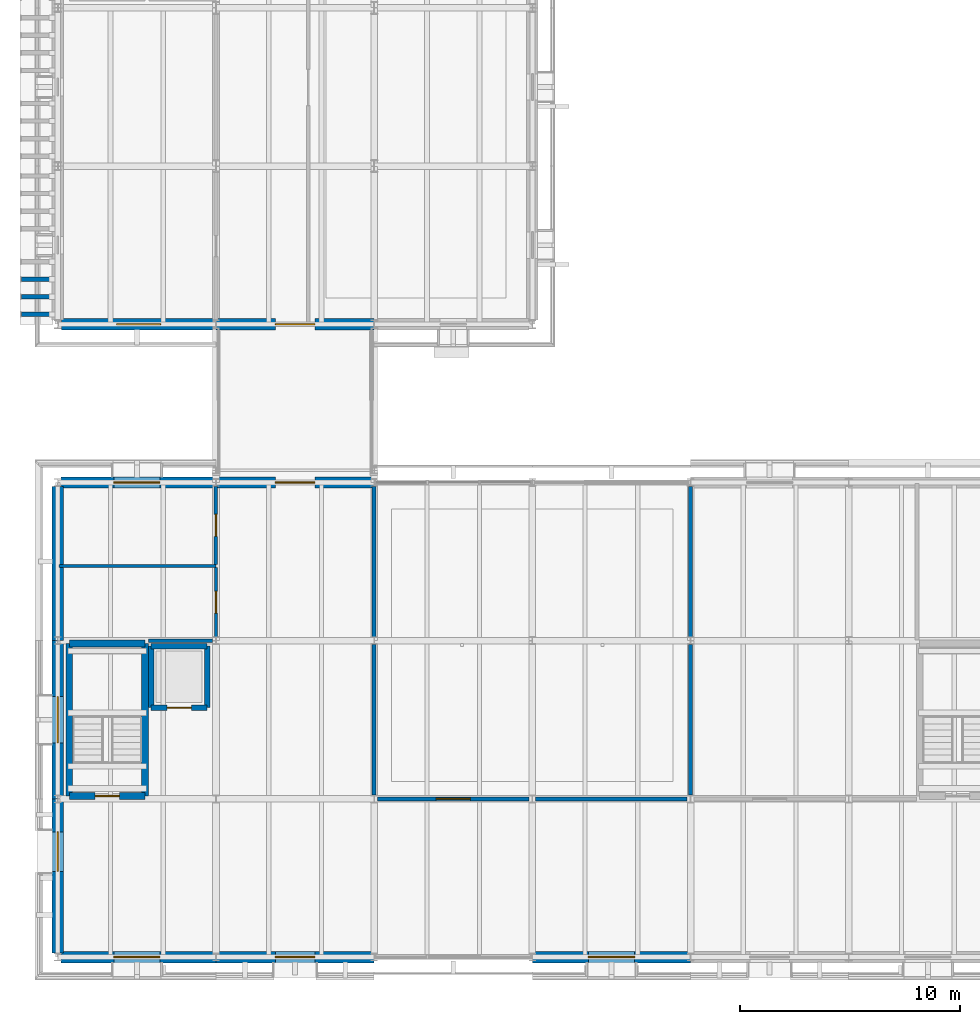
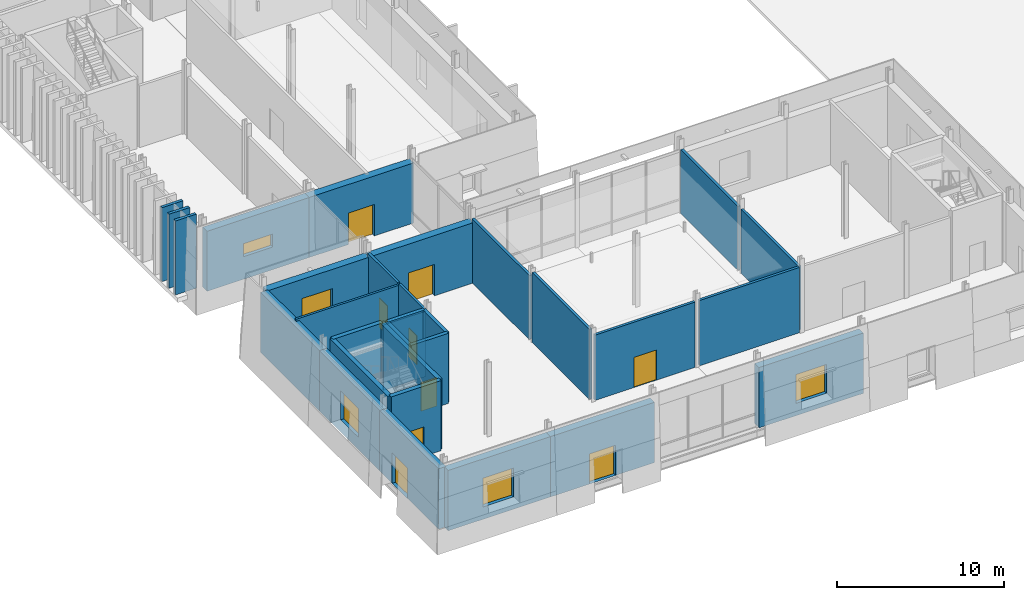
# One storey, part 67 of 120: 31 walls, 9 doors, 5 windows, 14 openings.
"""IFC4 building model written with IfcOpenShell, lengths in metres."""

from ifc_helpers import new_model, si_unit, direction, frame, frame_2d, origin, place, context, subcontext, project, spatial, rectangle, extrude, material, layer, layer_set, type_object, element, fill, save


model = new_model("IFC4")

# Units and contexts
model_context = context("Model", 3, precision=1e-05, world=origin(), true_north=direction((0.0, 1.0)))
body_context = subcontext(model_context, "Body", "Model", "MODEL_VIEW")
ifc_project = project(units=[si_unit("LENGTHUNIT", "METRE"), si_unit("AREAUNIT", "SQUARE_METRE"), si_unit("VOLUMEUNIT", "CUBIC_METRE"), si_unit("PLANEANGLEUNIT", "RADIAN"), si_unit("MASSUNIT", "GRAM", prefix="KILO")], contexts=[model_context])

# Site, building, storey
site_placement = place(None, origin())
site = spatial("IfcSite", under=ifc_project, at=site_placement, CompositionType="ELEMENT")
building_placement = place(site_placement, origin())
building = spatial("IfcBuilding", under=site, at=building_placement, Name="Narikvali Park Central Library", CompositionType="ELEMENT")
storey_placement = place(building_placement, origin())
storey = spatial("IfcBuildingStorey", under=building, at=storey_placement, Name="L00", CompositionType="ELEMENT", Elevation=0.0)

# Walls
ifc_material_1 = material(Name="Kiln-Fired Terracotta Red Brick Masonry", Category="masonry")
ifc_layer_1 = layer(ifc_material_1, 0.199951171875, Name="Kiln-Fired Terracotta Red Brick Masonry")
ifc_layer_set_1 = layer_set([ifc_layer_1], Name="Kiln-Fired Terracotta Red Brick Masonry")
wall_type_1 = type_object("IfcWallType", Name="Kiln-Fired Red Brick Vertical Fin Wall 200", PredefinedType="SOLIDWALL", material=ifc_layer_set_1)
for number, where, z_axis, x_axis, name in (
    (1, (-1.659912109375, 29.25, 0.0), (0.0, 0.0, 1.0), (1.0, 0.0, 0.0), "West Stacks Red Brick Vertical Fin Pier 001"),
    (2, (-1.659912109375, 30.050048828125, 0.0), (0.0, 0.0, 1.0), (1.0, 0.0, 0.0), "West Stacks Red Brick Vertical Fin Pier 005"),
    (3, (-1.659912109375, 30.85009765625, 0.0), (0.0, 0.0, 1.0), (1.0, 0.0, 0.0), "West Stacks Red Brick Vertical Fin Pier 009"),
):
    element("IfcWall", number, at=place(storey_placement, frame(where, z_axis=z_axis, x_axis=x_axis)), inside=storey, type_object=wall_type_1, Name=name, PredefinedType="SOLIDWALL", context=body_context, shape_type="SweptSolid", body=[
        extrude(rectangle(XDim=1.43994140625, YDim=0.199951171875, at=frame_2d((0.719970703125, 0.0))), origin(), (0.0, 0.0, 1.0), 5.39990234375),
    ])
ifc_material_2 = material(Name="Moisture-Resistant Cement Board on Steel Studs", Category="steel")
ifc_layer_2 = layer(ifc_material_2, 0.14990234375, Name="Moisture-Resistant Cement Board on Steel Studs")
ifc_layer_set_2 = layer_set([ifc_layer_2], Name="Moisture-Resistant Cement Board on Steel Studs")
wall_type_2 = type_object("IfcWallType", Name="Moisture-Resistant WC Partition 150", PredefinedType="PARTITIONING", material=ifc_layer_set_2)
wall_1_placement = place(storey_placement, frame((4.1220703125, 14.39990234375, 0.0), z_axis=(0.0, 0.0, 1.0), x_axis=(1.0, 0.0, 0.0)))
element("IfcWall", 4, at=wall_1_placement, inside=storey, type_object=wall_type_2, Name="Family and Accessible WC L00 Partition S", PredefinedType="PARTITIONING", context=body_context, shape_type="SweptSolid", body=[
    extrude(rectangle(XDim=2.923828125, YDim=0.14990234375, at=frame_2d((1.4619140625, 0.0))), origin(), (0.0, 0.0, 1.0), 4.77490234375),
])
wall_2_placement = place(storey_placement, frame((0.054931640625, 17.800048828125, 0.0), z_axis=(0.0, 0.0, 1.0), x_axis=(1.0, 0.0, 0.0)))
element("IfcWall", 5, at=wall_2_placement, inside=storey, type_object=wall_type_2, Name="Family and Accessible WC L00 Partition N", PredefinedType="PARTITIONING", context=body_context, shape_type="SweptSolid", body=[
    extrude(rectangle(XDim=7.14501953125, YDim=0.14990234375, at=frame_2d((3.572509765625, 0.0))), origin(), (0.0, 0.0, 1.0), 4.554931640625),
])

# Wall, opening, door
wall_3_placement = place(storey_placement, frame((7.199951171875, 14.573974609375, 0.0), z_axis=(0.0, 0.0, 1.0), x_axis=(0.0, 1.0, 0.0)))
wall_3 = element("IfcWall", 6, at=wall_3_placement, inside=storey, type_object=wall_type_2, Name="Family and Accessible WC L00 Partition E", PredefinedType="PARTITIONING", context=body_context, shape_type="SweptSolid", body=[
    extrude(rectangle(XDim=3.14892578125, YDim=0.14990234375, at=frame_2d((1.574462890625, 0.0))), origin(), (0.0, 0.0, 1.0), 4.6650390625),
])
opening_1_placement = place(wall_3_placement, frame((1.08447265625, 0.0, 0.0)))
opening_1 = element("IfcOpeningElement", 7, at=opening_1_placement, cuts=wall_3, Name="Opening ID-0005", PredefinedType="OPENING", context=body_context, shape_type="SweptSolid", body=[
    extrude(rectangle(XDim=0.97998046875, YDim=2.10009765625, at=frame_2d((0.489990234375, 1.050048828125))), frame((0.0, 0.0869140625, 0.0), z_axis=(0.0, -1.0, 0.0), x_axis=(1.0, 0.0, 0.0)), (0.0, 0.0, 1.0), 0.173828125),
])
ifc_material_3 = material(Name="Laminate Faced Hardwood Core", Category="wood")
door_type_1 = type_object("IfcDoorType", Name="Accessible WC Outward-Opening Door 980x2100", OperationType="SINGLE_SWING_RIGHT", PredefinedType="DOOR", material=ifc_material_3)
door_1_placement = place(opening_1_placement, frame((0.97998046875, 0.0, 0.0), z_axis=(0.0, 0.0, 1.0), x_axis=(-1.0, 0.0, 0.0)))
door_1 = element("IfcDoor", 8, at=door_1_placement, inside=storey, type_object=door_type_1, Name="Family and Accessible WC L00 Door ID-0005", OperationType="SINGLE_SWING_LEFT", OverallHeight=2.10009765625, OverallWidth=0.97998046875, PredefinedType="DOOR", context=body_context, shape_type="SweptSolid", body=[
    extrude(rectangle(XDim=0.97998046875, YDim=2.10009765625, at=frame_2d((0.489990234375, 1.050048828125))), frame((0.0, 0.02490234375, 0.0), z_axis=(0.0, -1.0, 0.0), x_axis=(1.0, 0.0, 0.0)), (0.0, 0.0, 1.0), 0.050048828125),
])
fill(opening_1, door_1)

ifc_material_4 = material(Name="Acoustic Gypsum on Steel Studs", Category="steel")
ifc_layer_3 = layer(ifc_material_4, 0.179931640625, Name="Acoustic Gypsum on Steel Studs")
ifc_layer_set_3 = layer_set([ifc_layer_3], Name="Acoustic Gypsum on Steel Studs")
wall_type_3 = type_object("IfcWallType", Name="Reading Room Acoustic Partition 180", PredefinedType="PARTITIONING", material=ifc_layer_set_3)
wall_4_placement = place(storey_placement, frame((14.553955078125, 7.199951171875, 0.0), z_axis=(0.0, 0.0, 1.0), x_axis=(1.0, 0.0, 0.0)))
wall_4 = element("IfcWall", 9, at=wall_4_placement, inside=storey, type_object=wall_type_3, Name="Children Library Picture Book Hall Partition S", PredefinedType="PARTITIONING", context=body_context, shape_type="SweptSolid", body=[
    extrude(rectangle(XDim=6.89208984375, YDim=0.179931640625, at=frame_2d((3.446044921875, 0.0))), origin(), (0.0, 0.0, 1.0), 4.764892578125),
])
opening_2_placement = place(wall_4_placement, frame((2.6708984375, 0.0, 0.0)))
opening_2 = element("IfcOpeningElement", 10, at=opening_2_placement, cuts=wall_4, Name="Opening ID-0051", PredefinedType="OPENING", context=body_context, shape_type="SweptSolid", body=[
    extrude(rectangle(XDim=1.550048828125, YDim=2.199951171875, at=frame_2d((0.77490234375, 1.10009765625))), frame((0.0, 0.10205078125, 0.0), z_axis=(0.0, -1.0, 0.0), x_axis=(1.0, 0.0, 0.0)), (0.0, 0.0, 1.0), 0.203857421875),
])
ifc_material_5 = material(Name="Caucasian Oak with Vision Panel")
door_type_2 = type_object("IfcDoorType", Name="Children Library Colourful Oak Door 1550x2200", OperationType="DOUBLE_DOOR_SINGLE_SWING", PredefinedType="DOOR", material=ifc_material_5)
door_2_placement = place(opening_2_placement, origin())
door_2 = element("IfcDoor", 11, at=door_2_placement, inside=storey, type_object=door_type_2, Name="Children Library Picture Book Hall Door ID-0051", OperationType="DOUBLE_DOOR_SINGLE_SWING", OverallHeight=2.199951171875, OverallWidth=1.550048828125, PredefinedType="DOOR", context=body_context, shape_type="SweptSolid", body=[
    extrude(rectangle(XDim=1.550048828125, YDim=2.199951171875, at=frame_2d((0.77490234375, 1.10009765625))), frame((0.0, 0.02490234375, 0.0), z_axis=(0.0, -1.0, 0.0), x_axis=(1.0, 0.0, 0.0)), (0.0, 0.0, 1.0), 0.050048828125),
])
fill(opening_2, door_2)

# Walls
wall_5_placement = place(storey_placement, frame((21.75390625, 7.199951171875, 0.0), z_axis=(0.0, 0.0, 1.0), x_axis=(1.0, 0.0, 0.0)))
element("IfcWall", 12, at=wall_5_placement, inside=storey, type_object=wall_type_3, Name="Children Library Picture Book Hall Partition S", PredefinedType="PARTITIONING", context=body_context, shape_type="SweptSolid", body=[
    extrude(rectangle(XDim=6.89208984375, YDim=0.179931640625, at=frame_2d((3.446044921875, 0.0))), origin(), (0.0, 0.0, 1.0), 4.764892578125),
])
wall_6_placement = place(storey_placement, frame((14.39990234375, 7.3740234375, 0.0), z_axis=(0.0, 0.0, 1.0), x_axis=(0.0, 1.0, 0.0)))
element("IfcWall", 13, at=wall_6_placement, inside=storey, type_object=wall_type_3, Name="Children Library Picture Book Hall Partition W", PredefinedType="PARTITIONING", context=body_context, shape_type="SweptSolid", body=[
    extrude(rectangle(XDim=6.85205078125, YDim=0.179931640625, at=frame_2d((3.426025390625, 0.0))), origin(), (0.0, 0.0, 1.0), 5.10498046875),
])
for number, where, z_axis, x_axis, name in (
    (14, (14.39990234375, 14.573974609375, 0.0), (0.0, 0.0, 1.0), (0.0, 1.0, 0.0), "Children Library Picture Book Hall Partition W"),
    (15, (28.800048828125, 7.3740234375, 0.0), (0.0, 0.0, 1.0), (0.0, 1.0, 0.0), "Children Library Picture Book Hall Partition E"),
    (16, (28.800048828125, 14.573974609375, 0.0), (0.0, 0.0, 1.0), (0.0, 1.0, 0.0), "Children Library Picture Book Hall Partition E"),
):
    element("IfcWall", number, at=place(storey_placement, frame(where, z_axis=z_axis, x_axis=x_axis)), inside=storey, type_object=wall_type_3, Name=name, PredefinedType="PARTITIONING", context=body_context, shape_type="SweptSolid", body=[
        extrude(rectangle(XDim=6.85205078125, YDim=0.179931640625, at=frame_2d((3.426025390625, 0.0))), origin(), (0.0, 0.0, 1.0), 4.6650390625),
    ])

# Wall, opening, door
ifc_material_6 = material(Name="Concrete C40/50", Category="concrete")
ifc_layer_4 = layer(ifc_material_6, 0.25, Name="Concrete C40/50")
ifc_layer_set_4 = layer_set([ifc_layer_4], Name="Concrete C40/50")
wall_type_4 = type_object("IfcWallType", Name="Reinforced Concrete Lift Shaft Wall 250", PredefinedType="SHEAR", material=ifc_layer_set_4)
wall_7_placement = place(storey_placement, frame((4.25, 11.35009765625, 0.0), z_axis=(0.0, 0.0, 1.0), x_axis=(1.0, 0.0, 0.0)))
wall_7 = element("IfcWall", 17, at=wall_7_placement, inside=storey, type_object=wall_type_4, Name="L-03 L00 Lift Shaft Wall S", PredefinedType="SHEAR", context=body_context, shape_type="SweptSolid", body=[
    extrude(rectangle(XDim=2.550048828125, YDim=0.25, at=frame_2d((1.27490234375, 0.0))), origin(), (0.0, 0.0, 1.0), 5.1201171875),
])
opening_3_placement = place(wall_7_placement, frame((0.72509765625, 0.0, 0.0)))
opening_3 = element("IfcOpeningElement", 18, at=opening_3_placement, cuts=wall_7, Name="Opening LD-011", PredefinedType="OPENING", context=body_context, shape_type="SweptSolid", body=[
    extrude(rectangle(XDim=1.10009765625, YDim=2.10009765625, at=frame_2d((0.550048828125, 1.050048828125))), frame((0.0, 0.136962890625, 0.0), z_axis=(0.0, -1.0, 0.0), x_axis=(1.0, 0.0, 0.0)), (0.0, 0.0, 1.0), 0.27392578125),
])
ifc_material_7 = material(Name="Brushed Stainless Steel S355", Category="steel")
door_type_3 = type_object("IfcDoorType", Name="Passenger Lift Sliding Landing Door 1100x2100", OperationType="SLIDING_TO_LEFT", PredefinedType="DOOR", material=ifc_material_7)
door_3_placement = place(opening_3_placement, origin())
door_3 = element("IfcDoor", 19, at=door_3_placement, inside=storey, type_object=door_type_3, Name="L-03 L00 Lift Landing Sliding Door LD-011", OperationType="SLIDING_TO_LEFT", OverallHeight=2.10009765625, OverallWidth=1.10009765625, PredefinedType="DOOR", context=body_context, shape_type="SweptSolid", body=[
    extrude(rectangle(XDim=1.10009765625, YDim=2.10009765625, at=frame_2d((0.550048828125, 1.050048828125))), frame((0.0, 0.02490234375, 0.0), z_axis=(0.0, -1.0, 0.0), x_axis=(1.0, 0.0, 0.0)), (0.0, 0.0, 1.0), 0.050048828125),
])
fill(opening_3, door_3)

# Walls
wall_8_placement = place(storey_placement, frame((6.800048828125, 11.35009765625, 0.0), z_axis=(0.0, 0.0, 1.0), x_axis=(0.0, 1.0, 0.0)))
element("IfcWall", 20, at=wall_8_placement, inside=storey, type_object=wall_type_4, Name="L-03 L00 Lift Shaft Wall E", PredefinedType="SHEAR", context=body_context, shape_type="SweptSolid", body=[
    extrude(rectangle(XDim=2.7998046875, YDim=0.25, at=frame_2d((1.39990234375, 0.0))), origin(), (0.0, 0.0, 1.0), 5.1201171875),
])
wall_9_placement = place(storey_placement, frame((6.800048828125, 14.14990234375, 0.0), z_axis=(0.0, 0.0, 1.0), x_axis=(-1.0, 0.0, 0.0)))
element("IfcWall", 21, at=wall_9_placement, inside=storey, type_object=wall_type_4, Name="L-03 L00 Lift Shaft Wall N", PredefinedType="SHEAR", context=body_context, shape_type="SweptSolid", body=[
    extrude(rectangle(XDim=2.550048828125, YDim=0.25, at=frame_2d((1.27490234375, 0.0))), origin(), (0.0, 0.0, 1.0), 5.1201171875),
])
wall_10_placement = place(storey_placement, frame((4.25, 14.14990234375, 0.0), z_axis=(0.0, 0.0, 1.0), x_axis=(0.0, -1.0, 0.0)))
element("IfcWall", 22, at=wall_10_placement, inside=storey, type_object=wall_type_4, Name="L-03 L00 Lift Shaft Wall W", PredefinedType="SHEAR", context=body_context, shape_type="SweptSolid", body=[
    extrude(rectangle(XDim=2.7998046875, YDim=0.25, at=frame_2d((1.39990234375, 0.0))), origin(), (0.0, 0.0, 1.0), 5.1201171875),
])

# Wall, opening, door
ifc_layer_5 = layer(ifc_material_6, 0.300048828125, Name="Concrete C40/50")
ifc_layer_set_5 = layer_set([ifc_layer_5], Name="Concrete C40/50")
wall_type_5 = type_object("IfcWallType", Name="Reinforced Concrete Shear Wall 300", PredefinedType="SHEAR", material=ifc_layer_set_5)
wall_11_placement = place(storey_placement, frame((0.530029296875, 7.330078125, 0.0), z_axis=(0.0, 0.0, 1.0), x_axis=(1.0, 0.0, 0.0)))
wall_11 = element("IfcWall", 23, at=wall_11_placement, inside=storey, type_object=wall_type_5, Name="C2A L00 Stair Core Shear Wall S", PredefinedType="SHEAR", context=body_context, shape_type="SweptSolid", body=[
    extrude(rectangle(XDim=3.43994140625, YDim=0.300048828125, at=frame_2d((1.719970703125, 0.0))), origin(), (0.0, 0.0, 1.0), 5.1201171875),
])
opening_4_placement = place(wall_11_placement, frame((1.169921875, 0.0, 0.0)))
opening_4 = element("IfcOpeningElement", 24, at=opening_4_placement, cuts=wall_11, Name="Opening SD-011", PredefinedType="OPENING", context=body_context, shape_type="SweptSolid", body=[
    extrude(rectangle(XDim=1.10009765625, YDim=2.14990234375, at=frame_2d((0.550048828125, 1.074951171875))), frame((0.0, 0.162109375, 0.0), z_axis=(0.0, -1.0, 0.0), x_axis=(1.0, 0.0, 0.0)), (0.0, 0.0, 1.0), 0.323974609375),
])
ifc_material_8 = material(Name="Powder-Coated Steel S275 Fire Leaf", Category="steel")
door_type_4 = type_object("IfcDoorType", Name="Stair Core Smoke-Control Fire Door 1100x2150", OperationType="SINGLE_SWING_LEFT", PredefinedType="DOOR", material=ifc_material_8)
door_4_placement = place(opening_4_placement, frame((1.10009765625, 0.0, 0.0), z_axis=(0.0, 0.0, 1.0), x_axis=(-1.0, 0.0, 0.0)))
door_4 = element("IfcDoor", 25, at=door_4_placement, inside=storey, type_object=door_type_4, Name="ST-03 L00 Stair Exit Door SD-011", OperationType="SINGLE_SWING_LEFT", OverallHeight=2.14990234375, OverallWidth=1.10009765625, PredefinedType="DOOR", context=body_context, shape_type="SweptSolid", body=[
    extrude(rectangle(XDim=1.10009765625, YDim=2.14990234375, at=frame_2d((0.550048828125, 1.074951171875))), frame((0.0, 0.02490234375, 0.0), z_axis=(0.0, -1.0, 0.0), x_axis=(1.0, 0.0, 0.0)), (0.0, 0.0, 1.0), 0.050048828125),
])
fill(opening_4, door_4)

# Walls
wall_12_placement = place(storey_placement, frame((3.969970703125, 7.330078125, 0.0), z_axis=(0.0, 0.0, 1.0), x_axis=(0.0, 1.0, 0.0)))
element("IfcWall", 26, at=wall_12_placement, inside=storey, type_object=wall_type_5, Name="C2A L00 Stair Core Shear Wall E", PredefinedType="SHEAR", context=body_context, shape_type="SweptSolid", body=[
    extrude(rectangle(XDim=6.93994140625, YDim=0.300048828125, at=frame_2d((3.469970703125, 0.0))), origin(), (0.0, 0.0, 1.0), 5.1201171875),
])
wall_13_placement = place(storey_placement, frame((3.969970703125, 14.27001953125, 0.0), z_axis=(0.0, 0.0, 1.0), x_axis=(-1.0, 0.0, 0.0)))
element("IfcWall", 27, at=wall_13_placement, inside=storey, type_object=wall_type_5, Name="C2A L00 Stair Core Shear Wall N", PredefinedType="SHEAR", context=body_context, shape_type="SweptSolid", body=[
    extrude(rectangle(XDim=3.43994140625, YDim=0.300048828125, at=frame_2d((1.719970703125, 0.0))), origin(), (0.0, 0.0, 1.0), 5.1201171875),
])
wall_14_placement = place(storey_placement, frame((0.530029296875, 14.27001953125, 0.0), z_axis=(0.0, 0.0, 1.0), x_axis=(0.0, -1.0, 0.0)))
element("IfcWall", 28, at=wall_14_placement, inside=storey, type_object=wall_type_5, Name="C2A L00 Stair Core Shear Wall W", PredefinedType="SHEAR", context=body_context, shape_type="SweptSolid", body=[
    extrude(rectangle(XDim=6.93994140625, YDim=0.300048828125, at=frame_2d((3.469970703125, 0.0))), origin(), (0.0, 0.0, 1.0), 5.1201171875),
])

# Wall, opening, door
ifc_material_9 = material(Name="Gypsum Board on Galvanised Steel Studs", Category="steel")
ifc_layer_6 = layer(ifc_material_9, 0.159912109375, Name="Gypsum Board on Galvanised Steel Studs")
ifc_layer_set_6 = layer_set([ifc_layer_6], Name="Gypsum Board on Galvanised Steel Studs")
wall_type_6 = type_object("IfcWallType", Name="Study Room Partition Wall 160", PredefinedType="PARTITIONING", material=ifc_layer_set_6)
wall_15_placement = place(storey_placement, frame((7.199951171875, 17.876953125, 0.0), z_axis=(0.0, 0.0, 1.0), x_axis=(0.0, 1.0, 0.0)))
wall_15 = element("IfcWall", 29, at=wall_15_placement, inside=storey, type_object=wall_type_6, Name="Family Parenting and Quiet Room Partition E", PredefinedType="PARTITIONING", context=body_context, shape_type="SweptSolid", body=[
    extrude(rectangle(XDim=3.549072265625, YDim=0.159912109375, at=frame_2d((1.7744140625, 0.0))), origin(), (0.0, 0.0, 1.0), 4.6650390625),
])
opening_5_placement = place(wall_15_placement, frame((1.2744140625, 0.0, 0.0)))
opening_5 = element("IfcOpeningElement", 30, at=opening_5_placement, cuts=wall_15, Name="Opening ID-0052", PredefinedType="OPENING", context=body_context, shape_type="SweptSolid", body=[
    extrude(rectangle(XDim=1.0, YDim=2.14990234375, at=frame_2d((0.5, 1.074951171875))), frame((0.0, 0.091796875, 0.0), z_axis=(0.0, -1.0, 0.0), x_axis=(1.0, 0.0, 0.0)), (0.0, 0.0, 1.0), 0.183837890625),
])
ifc_material_10 = material(Name="Solid Caucasian Oak")
door_type_5 = type_object("IfcDoorType", Name="Study Room Single Oak Door 1000x2150", OperationType="SINGLE_SWING_LEFT", PredefinedType="DOOR", material=ifc_material_10)
door_5_placement = place(opening_5_placement, origin())
door_5 = element("IfcDoor", 31, at=door_5_placement, inside=storey, type_object=door_type_5, Name="Family Parenting and Quiet Room Door ID-0052", OperationType="SINGLE_SWING_RIGHT", OverallHeight=2.14990234375, OverallWidth=1.0, PredefinedType="DOOR", context=body_context, shape_type="SweptSolid", body=[
    extrude(rectangle(XDim=1.0, YDim=2.14990234375, at=frame_2d((0.5, 1.074951171875))), frame((0.0, 0.02490234375, 0.0), z_axis=(0.0, -1.0, 0.0), x_axis=(1.0, 0.0, 0.0)), (0.0, 0.0, 1.0), 0.050048828125),
])
fill(opening_5, door_5)

# Wall, opening, window
ifc_material_11 = material(Name="White Rusticated Limestone over Concrete C35/45", Category="masonry")
ifc_layer_7 = layer(ifc_material_11, 0.52001953125, Name="White Rusticated Limestone over Concrete C35/45")
ifc_layer_set_7 = layer_set([ifc_layer_7], Name="White Rusticated Limestone over Concrete C35/45")
wall_type_7 = type_object("IfcWallType", Name="White Limestone Ashlar Plinth Wall 520", PredefinedType="SOLIDWALL", material=ifc_layer_set_7)
wall_16_placement = place(storey_placement, frame((0.154052734375, 0.0, 0.0), z_axis=(0.0, 0.0, 1.0), x_axis=(1.0, 0.0, 0.0)))
wall_16 = element("IfcWall", 32, at=wall_16_placement, inside=storey, type_object=wall_type_7, Name="V2 L00 S Exterior Limestone Wall B01", PredefinedType="SOLIDWALL", context=body_context, shape_type="SweptSolid", body=[
    extrude(rectangle(XDim=7.0458984375, YDim=0.52001953125, at=frame_2d((3.52294921875, 0.0))), origin(), (0.0, 0.0, 1.0), 4.39990234375),
])
opening_6_placement = place(wall_16_placement, frame((2.39599609375, 0.0, 0.89990234375)))
opening_6 = element("IfcOpeningElement", 33, at=opening_6_placement, cuts=wall_16, Name="Opening WIN-0044", PredefinedType="OPENING", context=body_context, shape_type="SweptSolid", body=[
    extrude(rectangle(XDim=2.10009765625, YDim=2.10009765625, at=frame_2d((1.050048828125, 1.050048828125))), frame((0.0, 0.27197265625, 0.0), z_axis=(0.0, -1.0, 0.0), x_axis=(1.0, 0.0, 0.0)), (0.0, 0.0, 1.0), 0.5439453125),
])
ifc_material_12 = material(Name="Anodised Bronze Aluminium and Low-E Triple Glazing", Category="aluminium")
window_type_1 = type_object("IfcWindowType", Name="Children Pavilion Garden Window 2100x2100", PartitioningType="TRIPLE_PANEL_VERTICAL", PredefinedType="WINDOW", material=ifc_material_12)
window_1_placement = place(opening_6_placement, origin())
window_1 = element("IfcWindow", 34, at=window_1_placement, inside=storey, type_object=window_type_1, Name="V2 L00 S Deep-Reveal Window WIN-0044", OverallHeight=2.10009765625, OverallWidth=2.10009765625, PartitioningType="SINGLE_PANEL", PredefinedType="WINDOW", context=body_context, shape_type="SweptSolid", body=[
    extrude(rectangle(XDim=2.10009765625, YDim=2.10009765625, at=frame_2d((1.050048828125, 1.050048828125))), frame((0.0, 0.030029296875, 0.0), z_axis=(0.0, -1.0, 0.0), x_axis=(1.0, 0.0, 0.0)), (0.0, 0.0, 1.0), 0.06005859375),
])
fill(opening_6, window_1)

# Wall, opening, door
wall_17_placement = place(storey_placement, frame((7.199951171875, 0.0, 0.0), z_axis=(0.0, 0.0, 1.0), x_axis=(1.0, 0.0, 0.0)))
wall_17 = element("IfcWall", 35, at=wall_17_placement, inside=storey, type_object=wall_type_7, Name="V2 L00 S Exterior Limestone Wall B02", PredefinedType="SOLIDWALL", context=body_context, shape_type="SweptSolid", body=[
    extrude(rectangle(XDim=7.199951171875, YDim=0.52001953125, at=frame_2d((3.60009765625, 0.0))), origin(), (0.0, 0.0, 1.0), 4.39990234375),
])
opening_7_placement = place(wall_17_placement, frame((2.699951171875, 0.0, 0.0)))
opening_7 = element("IfcOpeningElement", 36, at=opening_7_placement, cuts=wall_17, Name="Opening ED-011", PredefinedType="OPENING", context=body_context, shape_type="SweptSolid", body=[
    extrude(rectangle(XDim=1.800048828125, YDim=2.199951171875, at=frame_2d((0.89990234375, 1.10009765625))), frame((0.0, 0.27197265625, 0.0), z_axis=(0.0, -1.0, 0.0), x_axis=(1.0, 0.0, 0.0)), (0.0, 0.0, 1.0), 0.5439453125),
])
ifc_material_13 = material(Name="Powder-Coated Galvanised Steel S275", Category="steel")
door_type_6 = type_object("IfcDoorType", Name="Exterior Final Exit Double Fire Door 1800x2200", OperationType="DOUBLE_DOOR_SINGLE_SWING", PredefinedType="DOOR", material=ifc_material_13)
door_6_placement = place(opening_7_placement, frame((1.800048828125, 0.0, 0.0), z_axis=(0.0, 0.0, 1.0), x_axis=(-1.0, 0.0, 0.0)))
door_6 = element("IfcDoor", 37, at=door_6_placement, inside=storey, type_object=door_type_6, Name="V2 Ground Final Exit Discharge Door ED-011", OperationType="DOUBLE_DOOR_SINGLE_SWING", OverallHeight=2.199951171875, OverallWidth=1.800048828125, PredefinedType="DOOR", context=body_context, shape_type="SweptSolid", body=[
    extrude(rectangle(XDim=1.800048828125, YDim=2.199951171875, at=frame_2d((0.89990234375, 1.10009765625))), frame((0.0, 0.02490234375, 0.0), z_axis=(0.0, -1.0, 0.0), x_axis=(1.0, 0.0, 0.0)), (0.0, 0.0, 1.0), 0.050048828125),
])
fill(opening_7, door_6)

# Wall, opening, window
wall_18_placement = place(storey_placement, frame((21.60009765625, 0.0, 0.0), z_axis=(0.0, 0.0, 1.0), x_axis=(1.0, 0.0, 0.0)))
wall_18 = element("IfcWall", 38, at=wall_18_placement, inside=storey, type_object=wall_type_7, Name="V2 L00 S Exterior Limestone Wall B04", PredefinedType="SOLIDWALL", context=body_context, shape_type="SweptSolid", body=[
    extrude(rectangle(XDim=7.199951171875, YDim=0.52001953125, at=frame_2d((3.60009765625, 0.0))), origin(), (0.0, 0.0, 1.0), 4.39990234375),
])
opening_8_placement = place(wall_18_placement, frame((2.550048828125, 0.0, 0.89990234375)))
opening_8 = element("IfcOpeningElement", 39, at=opening_8_placement, cuts=wall_18, Name="Opening WIN-0045", PredefinedType="OPENING", context=body_context, shape_type="SweptSolid", body=[
    extrude(rectangle(XDim=2.10009765625, YDim=2.10009765625, at=frame_2d((1.050048828125, 1.050048828125))), frame((0.0, 0.27197265625, 0.0), z_axis=(0.0, -1.0, 0.0), x_axis=(1.0, 0.0, 0.0)), (0.0, 0.0, 1.0), 0.5439453125),
])
window_2_placement = place(opening_8_placement, origin())
window_2 = element("IfcWindow", 40, at=window_2_placement, inside=storey, type_object=window_type_1, Name="V2 L00 S Deep-Reveal Window WIN-0045", OverallHeight=2.10009765625, OverallWidth=2.10009765625, PartitioningType="SINGLE_PANEL", PredefinedType="WINDOW", context=body_context, shape_type="SweptSolid", body=[
    extrude(rectangle(XDim=2.10009765625, YDim=2.10009765625, at=frame_2d((1.050048828125, 1.050048828125))), frame((0.0, 0.030029296875, 0.0), z_axis=(0.0, -1.0, 0.0), x_axis=(1.0, 0.0, 0.0)), (0.0, 0.0, 1.0), 0.06005859375),
])
fill(opening_8, window_2)

# Wall, opening, door
wall_19_placement = place(storey_placement, frame((14.39990234375, 21.60009765625, 0.0), z_axis=(0.0, 0.0, 1.0), x_axis=(-1.0, 0.0, 0.0)))
wall_19 = element("IfcWall", 41, at=wall_19_placement, inside=storey, type_object=wall_type_7, Name="V2 L00 N Exterior Limestone Wall B05", PredefinedType="SOLIDWALL", context=body_context, shape_type="SweptSolid", body=[
    extrude(rectangle(XDim=7.199951171875, YDim=0.52001953125, at=frame_2d((3.60009765625, 0.0))), origin(), (0.0, 0.0, 1.0), 4.39990234375),
])
opening_9_placement = place(wall_19_placement, frame((2.699951171875, 0.0, 0.0)))
opening_9 = element("IfcOpeningElement", 42, at=opening_9_placement, cuts=wall_19, Name="Opening BD-014", PredefinedType="OPENING", context=body_context, shape_type="SweptSolid", body=[
    extrude(rectangle(XDim=1.800048828125, YDim=2.300048828125, at=frame_2d((0.89990234375, 1.14990234375))), frame((0.0, 0.27197265625, 0.0), z_axis=(0.0, -1.0, 0.0), x_axis=(1.0, 0.0, 0.0)), (0.0, 0.0, 1.0), 0.5439453125),
])
ifc_material_14 = material(Name="Fire-Rated Glazing in Steel S275 Frame", Category="steel")
door_type_7 = type_object("IfcDoorType", Name="Glazed Double Corridor Bridge Fire Door 1800x2300", OperationType="DOUBLE_DOOR_SINGLE_SWING", PredefinedType="DOOR", material=ifc_material_14)
door_7_placement = place(opening_9_placement, frame((1.800048828125, 0.0, 0.0), z_axis=(0.0, 0.0, 1.0), x_axis=(-1.0, 0.0, 0.0)))
door_7 = element("IfcDoor", 43, at=door_7_placement, inside=storey, type_object=door_type_7, Name="V2 L00 Covered Bridge Fire Door BD-014", OperationType="DOUBLE_DOOR_SINGLE_SWING", OverallHeight=2.300048828125, OverallWidth=1.800048828125, PredefinedType="DOOR", context=body_context, shape_type="SweptSolid", body=[
    extrude(rectangle(XDim=1.800048828125, YDim=2.300048828125, at=frame_2d((0.89990234375, 1.14990234375))), frame((0.0, 0.02490234375, 0.0), z_axis=(0.0, -1.0, 0.0), x_axis=(1.0, 0.0, 0.0)), (0.0, 0.0, 1.0), 0.050048828125),
])
fill(opening_9, door_7)

# Wall, opening, window
wall_20_placement = place(storey_placement, frame((7.199951171875, 21.60009765625, 0.0), z_axis=(0.0, 0.0, 1.0), x_axis=(-1.0, 0.0, 0.0)))
wall_20 = element("IfcWall", 44, at=wall_20_placement, inside=storey, type_object=wall_type_7, Name="V2 L00 N Exterior Limestone Wall B06", PredefinedType="SOLIDWALL", context=body_context, shape_type="SweptSolid", body=[
    extrude(rectangle(XDim=7.0458984375, YDim=0.52001953125, at=frame_2d((3.52294921875, 0.0))), origin(), (0.0, 0.0, 1.0), 4.39990234375),
])
opening_10_placement = place(wall_20_placement, frame((2.550048828125, 0.0, 0.89990234375)))
opening_10 = element("IfcOpeningElement", 45, at=opening_10_placement, cuts=wall_20, Name="Opening WIN-0050", PredefinedType="OPENING", context=body_context, shape_type="SweptSolid", body=[
    extrude(rectangle(XDim=2.10009765625, YDim=2.10009765625, at=frame_2d((1.050048828125, 1.050048828125))), frame((0.0, 0.27197265625, 0.0), z_axis=(0.0, -1.0, 0.0), x_axis=(1.0, 0.0, 0.0)), (0.0, 0.0, 1.0), 0.5439453125),
])
window_3_placement = place(opening_10_placement, origin())
window_3 = element("IfcWindow", 46, at=window_3_placement, inside=storey, type_object=window_type_1, Name="V2 L00 N Deep-Reveal Window WIN-0050", OverallHeight=2.10009765625, OverallWidth=2.10009765625, PartitioningType="SINGLE_PANEL", PredefinedType="WINDOW", context=body_context, shape_type="SweptSolid", body=[
    extrude(rectangle(XDim=2.10009765625, YDim=2.10009765625, at=frame_2d((1.050048828125, 1.050048828125))), frame((0.0, 0.030029296875, 0.0), z_axis=(0.0, -1.0, 0.0), x_axis=(1.0, 0.0, 0.0)), (0.0, 0.0, 1.0), 0.06005859375),
])
fill(opening_10, window_3)

# Wall
wall_21_placement = place(storey_placement, frame((0.0, 21.426025390625, 0.0), z_axis=(0.0, 0.0, 1.0), x_axis=(0.0, -1.0, 0.0)))
element("IfcWall", 47, at=wall_21_placement, inside=storey, type_object=wall_type_7, Name="V2 L00 W Exterior Limestone Wall B01", PredefinedType="SOLIDWALL", context=body_context, shape_type="SweptSolid", body=[
    extrude(rectangle(XDim=7.026123046875, YDim=0.52001953125, at=frame_2d((3.51318359375, 0.0))), origin(), (0.0, 0.0, 1.0), 4.39990234375),
])

# Wall, opening, window
wall_22_placement = place(storey_placement, frame((0.0, 14.39990234375, 0.0), z_axis=(0.0, 0.0, 1.0), x_axis=(0.0, -1.0, 0.0)))
wall_22 = element("IfcWall", 48, at=wall_22_placement, inside=storey, type_object=wall_type_7, Name="V2 L00 W Exterior Limestone Wall B02", PredefinedType="SOLIDWALL", context=body_context, shape_type="SweptSolid", body=[
    extrude(rectangle(XDim=7.199951171875, YDim=0.52001953125, at=frame_2d((3.60009765625, 0.0))), origin(), (0.0, 0.0, 1.0), 4.39990234375),
])
opening_11_placement = place(wall_22_placement, frame((2.550048828125, 0.0, 0.89990234375)))
opening_11 = element("IfcOpeningElement", 49, at=opening_11_placement, cuts=wall_22, Name="Opening WIN-0051", PredefinedType="OPENING", context=body_context, shape_type="SweptSolid", body=[
    extrude(rectangle(XDim=2.10009765625, YDim=2.10009765625, at=frame_2d((1.050048828125, 1.050048828125))), frame((0.0, 0.27197265625, 0.0), z_axis=(0.0, -1.0, 0.0), x_axis=(1.0, 0.0, 0.0)), (0.0, 0.0, 1.0), 0.5439453125),
])
window_4_placement = place(opening_11_placement, origin())
window_4 = element("IfcWindow", 50, at=window_4_placement, inside=storey, type_object=window_type_1, Name="V2 L00 W Deep-Reveal Window WIN-0051", OverallHeight=2.10009765625, OverallWidth=2.10009765625, PartitioningType="SINGLE_PANEL", PredefinedType="WINDOW", context=body_context, shape_type="SweptSolid", body=[
    extrude(rectangle(XDim=2.10009765625, YDim=2.10009765625, at=frame_2d((1.050048828125, 1.050048828125))), frame((0.0, 0.030029296875, 0.0), z_axis=(0.0, -1.0, 0.0), x_axis=(1.0, 0.0, 0.0)), (0.0, 0.0, 1.0), 0.06005859375),
])
fill(opening_11, window_4)

# Wall, opening, door
wall_23_placement = place(storey_placement, frame((0.0, 7.199951171875, 0.0), z_axis=(0.0, 0.0, 1.0), x_axis=(0.0, -1.0, 0.0)))
wall_23 = element("IfcWall", 51, at=wall_23_placement, inside=storey, type_object=wall_type_7, Name="V2 L00 W Exterior Limestone Wall B03", PredefinedType="SOLIDWALL", context=body_context, shape_type="SweptSolid", body=[
    extrude(rectangle(XDim=7.02587890625, YDim=0.52001953125, at=frame_2d((3.512939453125, 0.0))), origin(), (0.0, 0.0, 1.0), 4.39990234375),
])
opening_12_placement = place(wall_23_placement, frame((1.5, 0.0, 0.0)))
opening_12 = element("IfcOpeningElement", 52, at=opening_12_placement, cuts=wall_23, Name="Opening ED-015", PredefinedType="OPENING", context=body_context, shape_type="SweptSolid", body=[
    extrude(rectangle(XDim=1.800048828125, YDim=2.199951171875, at=frame_2d((0.89990234375, 1.10009765625))), frame((0.0, 0.27197265625, 0.0), z_axis=(0.0, -1.0, 0.0), x_axis=(1.0, 0.0, 0.0)), (0.0, 0.0, 1.0), 0.5439453125),
])
door_8_placement = place(opening_12_placement, frame((1.800048828125, 0.0, 0.0), z_axis=(0.0, 0.0, 1.0), x_axis=(-1.0, 0.0, 0.0)))
door_8 = element("IfcDoor", 53, at=door_8_placement, inside=storey, type_object=door_type_6, Name="V2 Ground Final Exit Discharge Door ED-015", OperationType="DOUBLE_DOOR_SINGLE_SWING", OverallHeight=2.199951171875, OverallWidth=1.800048828125, PredefinedType="DOOR", context=body_context, shape_type="SweptSolid", body=[
    extrude(rectangle(XDim=1.800048828125, YDim=2.199951171875, at=frame_2d((0.89990234375, 1.10009765625))), frame((0.0, 0.02490234375, 0.0), z_axis=(0.0, -1.0, 0.0), x_axis=(1.0, 0.0, 0.0)), (0.0, 0.0, 1.0), 0.050048828125),
])
fill(opening_12, door_8)

# Wall, opening, window
wall_24_placement = place(storey_placement, frame((0.157958984375, 28.800048828125, 0.0), z_axis=(0.0, 0.0, 1.0), x_axis=(1.0, 0.0, 0.0)))
wall_24 = element("IfcWall", 54, at=wall_24_placement, inside=storey, type_object=wall_type_7, Name="V5 L00 S Exterior Limestone Wall B01", PredefinedType="SOLIDWALL", context=body_context, shape_type="SweptSolid", body=[
    extrude(rectangle(XDim=7.0419921875, YDim=0.52001953125, at=frame_2d((3.52099609375, 0.0))), origin(), (0.0, 0.0, 1.0), 4.3798828125),
])
opening_13_placement = place(wall_24_placement, frame((2.52099609375, 0.0, 1.64990234375)))
opening_13 = element("IfcOpeningElement", 55, at=opening_13_placement, cuts=wall_24, Name="Opening SKY-05", PredefinedType="OPENING", context=body_context, shape_type="SweptSolid", body=[
    extrude(rectangle(XDim=2.0, YDim=0.949951171875, at=frame_2d((1.0, 0.47509765625))), frame((0.0, 0.27197265625, 0.0), z_axis=(0.0, -1.0, 0.0), x_axis=(1.0, 0.0, 0.0)), (0.0, 0.0, 1.0), 0.5439453125),
])
ifc_material_15 = material(Name="Laminated Solar-Control Skylight Glazing", Category="glass")
window_type_2 = type_object("IfcWindowType", Name="Pavilion Lantern Skylight 2000x2000", PartitioningType="SINGLE_PANEL", PredefinedType="SKYLIGHT", material=ifc_material_15)
window_5_placement = place(opening_13_placement, origin())
window_5 = element("IfcWindow", 56, at=window_5_placement, inside=storey, type_object=window_type_2, Name="V5 Clerestory Lantern Skylight SKY-05", OverallHeight=0.949951171875, OverallWidth=2.0, PartitioningType="SINGLE_PANEL", PredefinedType="SKYLIGHT", context=body_context, shape_type="SweptSolid", body=[
    extrude(rectangle(XDim=2.0, YDim=0.949951171875, at=frame_2d((1.0, 0.47509765625))), frame((0.0, 0.030029296875, 0.0), z_axis=(0.0, -1.0, 0.0), x_axis=(1.0, 0.0, 0.0)), (0.0, 0.0, 1.0), 0.06005859375),
])
fill(opening_13, window_5)

# Wall, opening, door
wall_25_placement = place(storey_placement, frame((7.199951171875, 28.800048828125, 0.0), z_axis=(0.0, 0.0, 1.0), x_axis=(1.0, 0.0, 0.0)))
wall_25 = element("IfcWall", 57, at=wall_25_placement, inside=storey, type_object=wall_type_7, Name="V5 L00 S Exterior Limestone Wall B02", PredefinedType="SOLIDWALL", context=body_context, shape_type="SweptSolid", body=[
    extrude(rectangle(XDim=7.199951171875, YDim=0.52001953125, at=frame_2d((3.60009765625, 0.0))), origin(), (0.0, 0.0, 1.0), 4.3798828125),
])
opening_14_placement = place(wall_25_placement, frame((2.699951171875, 0.0, 0.0)))
opening_14 = element("IfcOpeningElement", 58, at=opening_14_placement, cuts=wall_25, Name="Opening BD-038", PredefinedType="OPENING", context=body_context, shape_type="SweptSolid", body=[
    extrude(rectangle(XDim=1.800048828125, YDim=2.300048828125, at=frame_2d((0.89990234375, 1.14990234375))), frame((0.0, 0.27197265625, 0.0), z_axis=(0.0, -1.0, 0.0), x_axis=(1.0, 0.0, 0.0)), (0.0, 0.0, 1.0), 0.5439453125),
])
door_9_placement = place(opening_14_placement, frame((1.800048828125, 0.0, 0.0), z_axis=(0.0, 0.0, 1.0), x_axis=(-1.0, 0.0, 0.0)))
door_9 = element("IfcDoor", 59, at=door_9_placement, inside=storey, type_object=door_type_7, Name="V5 L00 Covered Bridge Fire Door BD-038", OperationType="DOUBLE_DOOR_SINGLE_SWING", OverallHeight=2.300048828125, OverallWidth=1.800048828125, PredefinedType="DOOR", context=body_context, shape_type="SweptSolid", body=[
    extrude(rectangle(XDim=1.800048828125, YDim=2.300048828125, at=frame_2d((0.89990234375, 1.14990234375))), frame((0.0, 0.02490234375, 0.0), z_axis=(0.0, -1.0, 0.0), x_axis=(1.0, 0.0, 0.0)), (0.0, 0.0, 1.0), 0.050048828125),
])
fill(opening_14, door_9)

save(model, "model.ifc")
